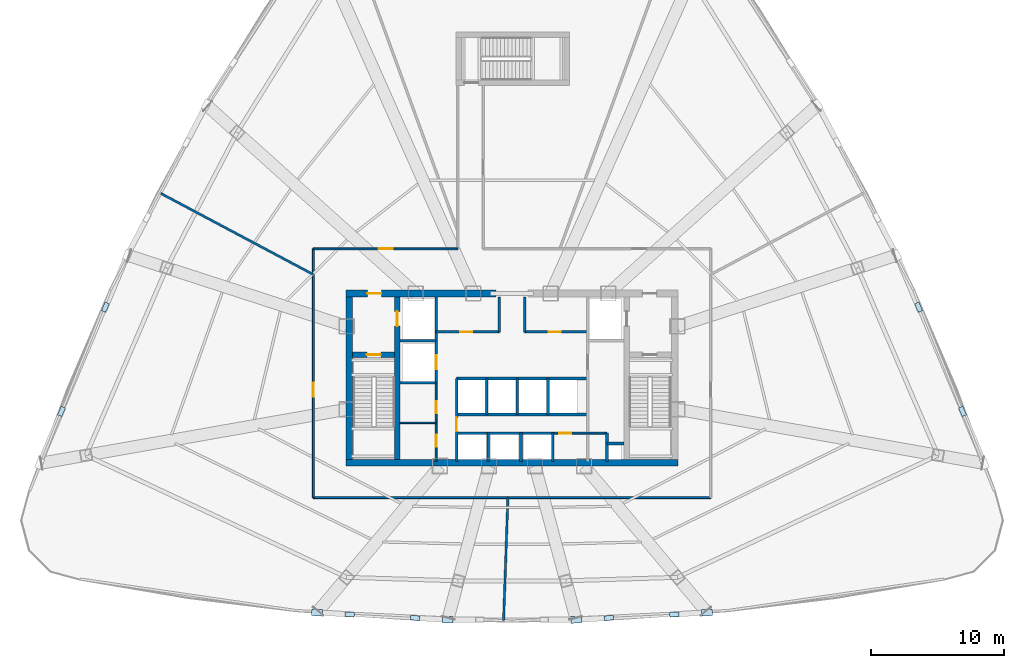
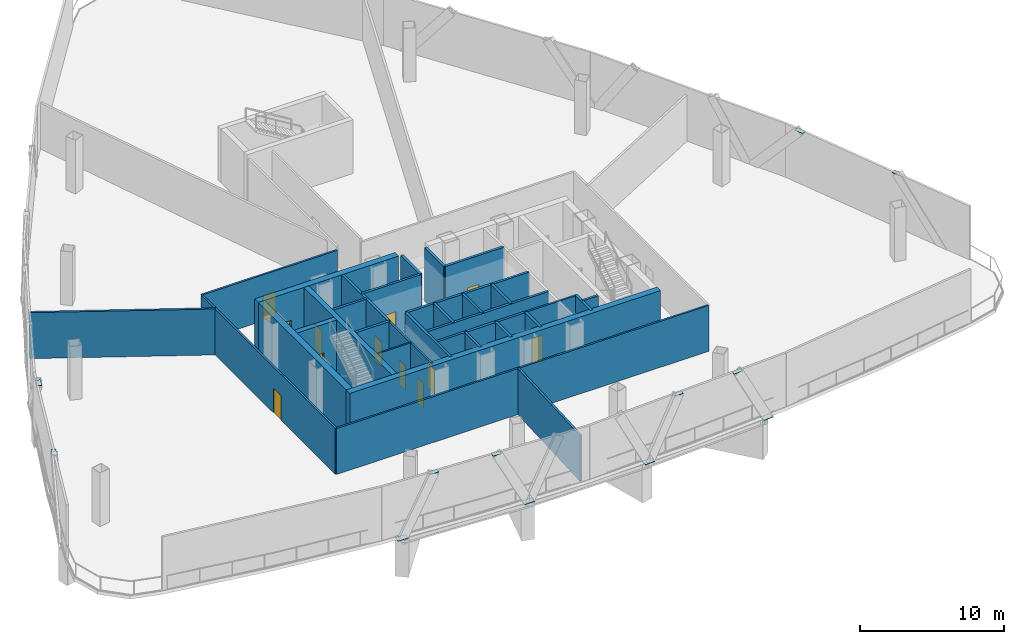
# One storey, part 7 of 14: 32 walls, 12 doors, 12 plates, 12 openings.
"""IFC4 building model written with IfcOpenShell, lengths in metres."""

import ifcopenshell
import ifcopenshell.guid

model = None  # the IFC model being written
_history = None  # IfcOwnerHistory: only IFC2X3 demands one
_inside = {}  # id of a spatial element -> (the spatial element, [elements in it])
_under = {}  # id of a project, library or spatial element -> (it, [spatial elements below it])
_declared = {}  # id of a project -> (the project, [libraries it declares])
_typed = {}  # id of a type object -> (the type object, [elements of that type])
_made_of = {}  # id of a material, layer set ... -> (it, [elements and type objects made of it])


def new_model(schema):
    """Start an empty IFC model of exactly this schema.

    Asked for "IFC4X3", IfcOpenShell would pick the latest addendum, in which some entities
    have other attributes; the version numbers below select the first issue.
    IFC2X3 requires an IfcOwnerHistory on every rooted entity: one is made here for all.
    """
    global model, _history
    if schema == "IFC4X3":
        model = ifcopenshell.file(schema_version=(4, 3, 0, 0))
    else:
        model = ifcopenshell.file(schema=schema)
    _inside.clear()
    _under.clear()
    _declared.clear()
    _typed.clear()
    _made_of.clear()
    _history = None
    if model.schema == "IFC2X3":
        org = make("IfcOrganization", Name="unknown")
        user = make(
            "IfcPersonAndOrganization",
            ThePerson=make("IfcPerson", FamilyName="unknown"),
            TheOrganization=org,
        )
        app = make(
            "IfcApplication",
            ApplicationDeveloper=org,
            Version="unknown",
            ApplicationFullName="unknown",
            ApplicationIdentifier="unknown",
        )
        _history = make(
            "IfcOwnerHistory",
            OwningUser=user,
            OwningApplication=app,
            ChangeAction="ADDED",
            CreationDate=0,
        )
    return model


def make(cls, **values):
    """One entity of the class cls with the attributes given. An attribute that is None is left unset."""
    return model.create_entity(
        cls, **{name: value for name, value in values.items() if value is not None}
    )


def rooted(cls, **values):
    """An entity with a GlobalId (a new one), such as an element, a storey or a relation."""
    return make(cls, GlobalId=ifcopenshell.guid.new(), OwnerHistory=_history, **values)


def si_unit(unit_type, name, prefix=None):
    """IfcSIUnit, for example si_unit("LENGTHUNIT", "METRE", prefix="MILLI")."""
    return make("IfcSIUnit", UnitType=unit_type, Prefix=prefix, Name=name)


def assignment(units):
    """IfcUnitAssignment: the units of a project."""
    return None if units is None else make("IfcUnitAssignment", Units=units)


def point(xyz):
    """IfcCartesianPoint."""
    return None if xyz is None else make("IfcCartesianPoint", Coordinates=xyz)


def direction(xyz):
    """IfcDirection."""
    return None if xyz is None else make("IfcDirection", DirectionRatios=xyz)


def frame(location, z_axis=None, x_axis=None):
    """IfcAxis2Placement3D, a coordinate frame: its origin and axes. An axis left out is left unset."""
    return make(
        "IfcAxis2Placement3D",
        Location=point(location),
        Axis=direction(z_axis),
        RefDirection=direction(x_axis),
    )


def frame_2d(location, x_axis=None):
    """IfcAxis2Placement2D, a coordinate frame in the plane: its origin and x axis."""
    return make(
        "IfcAxis2Placement2D", Location=point(location), RefDirection=direction(x_axis)
    )


def origin():
    """The frame at (0, 0, 0) with its axes left unset."""
    return frame((0.0, 0.0, 0.0))


def origin_with_axes():
    """The frame at (0, 0, 0) with the z axis (0, 0, 1) and the x axis (1, 0, 0) written out."""
    return frame((0.0, 0.0, 0.0), z_axis=(0.0, 0.0, 1.0), x_axis=(1.0, 0.0, 0.0))


def origin_2d():
    """The frame at (0, 0) in the plane with its x axis left unset."""
    return frame_2d((0.0, 0.0))


def place(relative_to, where):
    """IfcLocalPlacement: puts the frame where relative to a parent placement (None: the world)."""
    return make(
        "IfcLocalPlacement", PlacementRelTo=relative_to, RelativePlacement=where
    )


def context(
    kind, dimensions, precision=None, world=None, true_north=None, identifier=None
):
    """IfcGeometricRepresentationContext, for example the 3D "Model" context."""
    return make(
        "IfcGeometricRepresentationContext",
        ContextIdentifier=identifier,
        ContextType=kind,
        CoordinateSpaceDimension=dimensions,
        Precision=precision,
        WorldCoordinateSystem=world,
        TrueNorth=true_north,
    )


def subcontext(parent, identifier, kind, view, scale=None):
    """IfcGeometricRepresentationSubContext, for example "Body" below "Model"."""
    return make(
        "IfcGeometricRepresentationSubContext",
        ContextIdentifier=identifier,
        ContextType=kind,
        ParentContext=parent,
        TargetScale=scale,
        TargetView=view,
    )


def project(units=None, contexts=None):
    """IfcProject with its units and contexts."""
    return rooted(
        "IfcProject",
        Name="project",
        RepresentationContexts=contexts,
        UnitsInContext=assignment(units),
    )


def spatial(cls, under=None, at=None, **own):
    """A site, building, storey or space (cls), placed at a placement, below another one or the project."""
    s = rooted(cls, ObjectPlacement=at, **own)
    if under is not None:
        _under.setdefault(under.id(), (under, []))[1].append(s)
    return s


def profile(cls, at=None, kind="AREA", **sizes):
    """A parametric profile (cls). Its sizes go by their IFC names, for example OverallWidth=200.0."""
    return make(cls, ProfileType=kind, Position=at, **sizes)


def rectangle(**sizes):
    """IfcRectangleProfileDef."""
    return profile("IfcRectangleProfileDef", **sizes)


def extrude(swept, where, along, depth):
    """IfcExtrudedAreaSolid: the profile swept, set in the frame where, extruded along a direction by depth."""
    return make(
        "IfcExtrudedAreaSolid",
        SweptArea=swept,
        Position=where,
        ExtrudedDirection=direction(along),
        Depth=depth,
    )


def shape(context_of_items, identifier, shape_type, items):
    """IfcShapeRepresentation: the items that make up one representation, for example the "Body"."""
    return make(
        "IfcShapeRepresentation",
        ContextOfItems=context_of_items,
        RepresentationIdentifier=identifier,
        RepresentationType=shape_type,
        Items=items,
    )


def source(mapping_origin, context_of_items, identifier, shape_type, items):
    """IfcRepresentationMap: a shape defined once, which mapped items show again and again."""
    return make(
        "IfcRepresentationMap",
        MappingOrigin=mapping_origin,
        MappedRepresentation=shape(context_of_items, identifier, shape_type, items),
    )


def transform(
    local_origin,
    x_axis=None,
    y_axis=None,
    z_axis=None,
    scale=None,
    scale2=None,
    scale3=None,
    uniform=True,
):
    """IfcCartesianTransformationOperator3D, or its non-uniform kind. x_axis, y_axis, z_axis: its Axis1, 2, 3."""
    if uniform:
        return make(
            "IfcCartesianTransformationOperator3D",
            Axis1=direction(x_axis),
            Axis2=direction(y_axis),
            LocalOrigin=point(local_origin),
            Scale=scale,
            Axis3=direction(z_axis),
        )
    return make(
        "IfcCartesianTransformationOperator3DnonUniform",
        Axis1=direction(x_axis),
        Axis2=direction(y_axis),
        LocalOrigin=point(local_origin),
        Scale=scale,
        Axis3=direction(z_axis),
        Scale2=scale2,
        Scale3=scale3,
    )


def mapped(mapping_source, mapping_target):
    """IfcMappedItem: shows the shape of a source again, moved by a transform."""
    return make(
        "IfcMappedItem", MappingSource=mapping_source, MappingTarget=mapping_target
    )


def material(Name=None, Category=None):
    """IfcMaterial."""
    return make("IfcMaterial", Name=Name, Category=Category)


def layer(
    of_material, thickness, ventilated=None, Name=None, Category=None, Priority=None
):
    """IfcMaterialLayer: one layer of a wall or slab, of a material (None: an air gap)."""
    return make(
        "IfcMaterialLayer",
        Material=of_material,
        LayerThickness=thickness,
        IsVentilated=ventilated,
        Name=Name,
        Category=Category,
        Priority=Priority,
    )


def layer_set(layers, Name=None):
    """IfcMaterialLayerSet."""
    return make("IfcMaterialLayerSet", MaterialLayers=layers, LayerSetName=Name)


def made_of(thing, what):
    """Note that an element or type object is made of a material, layer set ...; save() writes the relation."""
    if what is not None:
        _made_of.setdefault(what.id(), (what, []))[1].append(thing)
    return thing


def type_object(cls, material=None, **own):
    """A type object (cls), such as IfcWallType, which elements share."""
    return made_of(rooted(cls, **own), material)


def element(
    cls,
    number,
    at=None,
    inside=None,
    cuts=None,
    type_object=None,
    material=None,
    context=None,
    identifier="Body",
    shape_type=None,
    held_by="IfcProductDefinitionShape",
    body=None,
    shapes=None,
    **own,
):
    """One element of the class cls, such as IfcWall. Its Tag is "e" and its number.

    at: its placement. inside: the storey or other place that contains it. cuts: it is an
    opening in that element (IfcRelVoidsElement). A single representation is given by context,
    identifier, shape_type and body (its items); several are given by shapes. held_by: the class
    of the entity that holds the representations. save() writes the other relations.
    """
    e = rooted(cls, Tag="e%d" % number, ObjectPlacement=at, **own)
    if body is not None:
        shapes = [shape(context, identifier, shape_type, body)]
    if shapes is not None:
        e.Representation = make(held_by, Representations=shapes)
    if inside is not None:
        _inside.setdefault(inside.id(), (inside, []))[1].append(e)
    if cuts is not None:
        rooted(
            "IfcRelVoidsElement", RelatingBuildingElement=cuts, RelatedOpeningElement=e
        )
    if type_object is not None:
        _typed.setdefault(type_object.id(), (type_object, []))[1].append(e)
    return made_of(e, material)


def fill(opening, filler):
    """IfcRelFillsElement: the door or window that sits in an opening."""
    return rooted(
        "IfcRelFillsElement",
        RelatingOpeningElement=opening,
        RelatedBuildingElement=filler,
    )


def aggregate(whole, parts):
    """IfcRelAggregates: a whole, such as a stair, and the parts it consists of."""
    return rooted("IfcRelAggregates", RelatingObject=whole, RelatedObjects=parts)


def save(model, path):
    """Write the relations noted so far, then the file.

    IfcRelAggregates (storeys below a building ...), IfcRelContainedInSpatialStructure (elements
    in a storey), IfcRelDefinesByType, IfcRelAssociatesMaterial and IfcRelDeclares: one each for
    every whole, place, type object, material and project.
    """
    for whole, parts in _under.values():
        aggregate(whole, parts)
    for where, things in _inside.values():
        rooted(
            "IfcRelContainedInSpatialStructure",
            RelatedElements=things,
            RelatingStructure=where,
        )
    for kind, things in _typed.values():
        rooted("IfcRelDefinesByType", RelatedObjects=things, RelatingType=kind)
    for what, things in _made_of.values():
        rooted("IfcRelAssociatesMaterial", RelatedObjects=things, RelatingMaterial=what)
    for by, libraries in _declared.values():
        rooted("IfcRelDeclares", RelatingContext=by, RelatedDefinitions=libraries)
    model.write(path)


model = new_model("IFC4")

# Units and contexts
model_context = context("Model", 3, precision=1e-05, world=origin(), true_north=direction((0.0, 1.0)))
body_context = subcontext(model_context, "Body", "Model", "MODEL_VIEW")
ifc_project = project(units=[si_unit("LENGTHUNIT", "METRE"), si_unit("AREAUNIT", "SQUARE_METRE"), si_unit("VOLUMEUNIT", "CUBIC_METRE"), si_unit("PLANEANGLEUNIT", "RADIAN"), si_unit("MASSUNIT", "GRAM", prefix="KILO"), si_unit("THERMODYNAMICTEMPERATUREUNIT", "KELVIN"), si_unit("POWERUNIT", "WATT")], contexts=[model_context])

# Site, building, storey
site_placement = place(None, origin())
site = spatial("IfcSite", under=ifc_project, at=site_placement, CompositionType="ELEMENT")
building_placement = place(site_placement, origin())
building = spatial("IfcBuilding", under=site, at=building_placement, Name="Yunzhuo Pagoda Commons", CompositionType="ELEMENT")
storey_placement = place(building_placement, frame((0.0, 0.0, 224.81005859375)))
storey = spatial("IfcBuildingStorey", under=building, at=storey_placement, Name="L56", CompositionType="ELEMENT", Elevation=224.81005859375)

# Plates
ifc_material_1 = material(Name="Structural steel Q355B", Category="steel")
ifc_layer_1 = layer(ifc_material_1, 0.028076171875)
ifc_layer_set_1 = layer_set([ifc_layer_1], Name="Structural steel Q355B")
plate_type = type_object("IfcPlateType", Name="SP-ND1 Lattice Node Cap Plate 800x500x28", PredefinedType="USERDEFINED", material=ifc_layer_set_1)
shared_shape_1 = source(origin(), body_context, "Body", "SweptSolid", [
    extrude(rectangle(XDim=0.800048828125, YDim=0.5, at=origin_2d()), origin(), (0.0, 0.0, 1.0), 0.028076171875),
])
for number, where, z_axis, x_axis, name in (
    (1, (33.377197265625, 16.2734375, -0.2939453125), (0.0, 0.0, 1.0), (0.998487178719, -0.054985033724, 0.0), "L56 diamond node plate F1.1A"),
    (2, (43.185791015625, 15.7333984375, -0.2939453125), (0.0, 0.0, 1.0), (1.0, 0.0, 0.0), "L56 diamond node plate F1.2A"),
    (3, (52.814208984375, 15.7333984375, -0.2939453125), (0.0, 0.0, 1.0), (0.998487178719, 0.054985033724, 0.0), "L56 diamond node plate F1.3A"),
    (4, (62.622802734375, 16.2734375, -0.2939453125), (0.0, 0.0, 1.0), (0.998487178719, 0.054985033724, 0.0), "L56 diamond node plate F1.3B"),
):
    element("IfcPlate", number, at=place(storey_placement, frame(where, z_axis=z_axis, x_axis=x_axis)), inside=storey, type_object=plate_type, Name=name, ObjectType="STIFFENER_PLATE", PredefinedType="USERDEFINED", context=body_context, shape_type="MappedRepresentation", body=[
        mapped(shared_shape_1, transform((0.0, 0.0, 0.0), scale=1.0)),
    ])
shared_shape_2 = source(origin(), body_context, "Body", "SweptSolid", [
    extrude(rectangle(XDim=0.699951171875, YDim=0.35009765625, at=origin_2d()), origin(), (0.0, 0.0, 1.0), 0.035888671875),
])
for number, where, z_axis, x_axis, name in (
    (5, (35.829345703125, 16.138427734375, 4.501953125), (0.0, 0.0, 1.0), (0.998487178719, -0.054985033724, 0.0), "L56 setback lattice tie plate F1.1L"),
    (6, (40.733642578125, 15.868408203125, 4.501953125), (0.0, 0.0, 1.0), (0.998487178719, -0.054985033724, 0.0), "L56 setback lattice tie plate F1.1R"),
    (7, (55.266357421875, 15.868408203125, 4.501953125), (0.0, 0.0, 1.0), (0.998487178719, 0.054985033724, 0.0), "L56 setback lattice tie plate F1.3L"),
    (8, (60.170654296875, 16.138427734375, 4.501953125), (0.0, 0.0, 1.0), (0.998487178719, 0.054985033724, 0.0), "L56 setback lattice tie plate F1.3R"),
    (9, (81.778076171875, 31.358642578125, 4.501953125), (0.0, 0.0, 1.0), (-0.388175158617, 0.921585615248, 0.0), "L56 setback lattice tie plate F2.1L"),
    (10, (78.48876953125, 39.16748046875, 4.501953125), (0.0, 0.0, 1.0), (-0.388175158617, 0.921585615248, 0.0), "L56 setback lattice tie plate F2.1R"),
    (11, (17.51123046875, 39.16748046875, 4.501953125), (0.0, 0.0, 1.0), (-0.388175158617, -0.921585615248, 0.0), "L56 setback lattice tie plate F3.3L"),
    (12, (14.221923828125, 31.358642578125, 4.501953125), (0.0, 0.0, 1.0), (-0.388175158617, -0.921585615248, 0.0), "L56 setback lattice tie plate F3.3R"),
):
    element("IfcPlate", number, at=place(storey_placement, frame(where, z_axis=z_axis, x_axis=x_axis)), inside=storey, type_object=plate_type, Name=name, ObjectType="STIFFENER_PLATE", PredefinedType="USERDEFINED", context=body_context, shape_type="MappedRepresentation", body=[
        mapped(shared_shape_2, transform((0.0, 0.0, 0.0), scale=1.0)),
    ])

# Wall
ifc_material_2 = material(Name="Concrete C50", Category="concrete")
ifc_layer_2 = layer(ifc_material_2, 0.5)
ifc_layer_set_2 = layer_set([ifc_layer_2], Name="Concrete C50")
wall_type_1 = type_object("IfcWallType", Name="W-C03 Upper Core Shear Wall 500", PredefinedType="SHEAR", material=ifc_layer_set_2)
wall_1_placement = place(storey_placement, frame((35.550048828125, 27.5, 0.0), z_axis=(0.0, 0.0, 1.0), x_axis=(1.0, 0.0, 0.0)))
element("IfcWall", 13, at=wall_1_placement, inside=storey, type_object=wall_type_1, Name="L56 core shear wall S", PredefinedType="SHEAR", context=body_context, shape_type="SweptSolid", body=[
    extrude(rectangle(XDim=24.89990234375, YDim=0.5, at=frame_2d((12.449951171875, 0.0))), origin(), (0.0, 0.0, 1.0), 4.5400390625),
])

# Wall, opening, door
wall_2_placement = place(storey_placement, frame((35.550048828125, 40.199951171875, 0.0), z_axis=(0.0, 0.0, 1.0), x_axis=(1.0, 0.0, 0.0)))
wall_2 = element("IfcWall", 14, at=wall_2_placement, inside=storey, type_object=wall_type_1, Name="L56 core shear wall NW", PredefinedType="SHEAR", context=body_context, shape_type="SweptSolid", body=[
    extrude(rectangle(XDim=11.25, YDim=0.5, at=frame_2d((5.625, 0.0))), origin(), (0.0, 0.0, 1.0), 4.5400390625),
])
opening_1_placement = place(wall_2_placement, frame((1.60009765625, 0.0, 0.0)))
opening_1 = element("IfcOpeningElement", 15, at=opening_1_placement, cuts=wall_2, Name="Opening D-02", PredefinedType="OPENING", context=body_context, shape_type="SweptSolid", body=[
    extrude(rectangle(XDim=1.050048828125, YDim=2.10009765625, at=frame_2d((0.52490234375, 1.050048828125))), frame((0.0, 0.260009765625, 0.0), z_axis=(0.0, -1.0, 0.0), x_axis=(1.0, 0.0, 0.0)), (0.0, 0.0, 1.0), 0.52001953125),
])
ifc_material_3 = material(Name="Galvanized fire-resisting metal leaf")
door_type_1 = type_object("IfcDoorType", Name="D-02 Firefighting Lobby & Refuge Fire Door 1050x2100", OperationType="NOTDEFINED", PredefinedType="DOOR", material=ifc_material_3)
shared_shape_3 = source(origin(), body_context, "Body", "SweptSolid", [
    extrude(rectangle(XDim=1.050048828125, YDim=2.10009765625, at=frame_2d((0.52490234375, 1.050048828125))), frame((0.0, 0.02490234375, 0.0), z_axis=(0.0, -1.0, 0.0), x_axis=(1.0, 0.0, 0.0)), (0.0, 0.0, 1.0), 0.050048828125),
])
door_1_placement = place(opening_1_placement, frame((1.050048828125, 0.0, 0.0), z_axis=(0.0, 0.0, 1.0), x_axis=(-1.0, 0.0, 0.0)))
door_1 = element("IfcDoor", 16, at=door_1_placement, inside=storey, type_object=door_type_1, Name="L56 Firefighting Lobby 1 fire door", OperationType="SINGLE_SWING_LEFT", OverallHeight=2.10009765625, OverallWidth=1.050048828125, PredefinedType="DOOR", context=body_context, shape_type="MappedRepresentation", body=[
    mapped(shared_shape_3, transform((0.0, 0.0, 0.0), scale=1.0)),
])
fill(opening_1, door_1)

# Wall
wall_3_placement = place(storey_placement, frame((35.800048828125, 27.75, 0.0), z_axis=(0.0, 0.0, 1.0), x_axis=(0.0, 1.0, 0.0)))
element("IfcWall", 17, at=wall_3_placement, inside=storey, type_object=wall_type_1, Name="L56 core shear wall W", PredefinedType="SHEAR", context=body_context, shape_type="SweptSolid", body=[
    extrude(rectangle(XDim=12.199951171875, YDim=0.5, at=frame_2d((6.10009765625, 0.0))), origin(), (0.0, 0.0, 1.0), 4.5400390625),
])

# Wall, openings, doors
ifc_material_4 = material(Name="Gypsum plasterboard on acoustic stud")
ifc_layer_3 = layer(ifc_material_4, 0.14990234375)
ifc_layer_set_3 = layer_set([ifc_layer_3], Name="Gypsum plasterboard on acoustic stud")
wall_type_2 = type_object("IfcWallType", Name="W-COR3 High-Zone Rated Corridor Wall 150", PredefinedType="PARTITIONING", material=ifc_layer_set_3)
wall_4_placement = place(storey_placement, frame((42.320068359375, 27.60009765625, 0.0), z_axis=(0.0, 0.0, 1.0), x_axis=(0.0, 1.0, 0.0)))
wall_4 = element("IfcWall", 18, at=wall_4_placement, inside=storey, type_object=wall_type_2, Name="L56 interior wall IW-L56-CSWE", PredefinedType="PARTITIONING", context=body_context, shape_type="SweptSolid", body=[
    extrude(rectangle(XDim=5.89990234375, YDim=0.14990234375, at=frame_2d((2.949951171875, 0.0))), origin(), (0.0, 0.0, 1.0), 4.5400390625),
])
opening_2_placement = place(wall_4_placement, frame((1.10009765625, 0.0, 0.0)))
opening_2 = element("IfcOpeningElement", 19, at=opening_2_placement, cuts=wall_4, Name="Opening D-03", PredefinedType="OPENING", context=body_context, shape_type="SweptSolid", body=[
    extrude(rectangle(XDim=0.89990234375, YDim=2.10009765625, at=frame_2d((0.449951171875, 1.050048828125))), frame((0.0, 0.0849609375, 0.0), z_axis=(0.0, -1.0, 0.0), x_axis=(1.0, 0.0, 0.0)), (0.0, 0.0, 1.0), 0.169921875),
])
opening_3_placement = place(wall_4_placement, frame((3.60009765625, 0.0, 0.0)))
opening_3 = element("IfcOpeningElement", 20, at=opening_3_placement, cuts=wall_4, Name="Opening D-03", PredefinedType="OPENING", context=body_context, shape_type="SweptSolid", body=[
    extrude(rectangle(XDim=0.89990234375, YDim=2.10009765625, at=frame_2d((0.449951171875, 1.050048828125))), frame((0.0, 0.0849609375, 0.0), z_axis=(0.0, -1.0, 0.0), x_axis=(1.0, 0.0, 0.0)), (0.0, 0.0, 1.0), 0.169921875),
])
door_type_2 = type_object("IfcDoorType", Name="D-03 Core Service Fire Door 900x2100", OperationType="NOTDEFINED", PredefinedType="DOOR", material=ifc_material_3)
shared_shape_4 = source(origin(), body_context, "Body", "SweptSolid", [
    extrude(rectangle(XDim=0.89990234375, YDim=2.10009765625, at=frame_2d((0.449951171875, 1.050048828125))), frame((0.0, 0.02490234375, 0.0), z_axis=(0.0, -1.0, 0.0), x_axis=(1.0, 0.0, 0.0)), (0.0, 0.0, 1.0), 0.050048828125),
])
door_2_placement = place(opening_2_placement, origin_with_axes())
door_2 = element("IfcDoor", 21, at=door_2_placement, inside=storey, type_object=door_type_2, Name="L56 housekeeping door", OperationType="SINGLE_SWING_RIGHT", OverallHeight=2.10009765625, OverallWidth=0.89990234375, PredefinedType="DOOR", context=body_context, shape_type="MappedRepresentation", body=[
    mapped(shared_shape_4, transform((0.0, 0.0, 0.0), scale=1.0)),
])
fill(opening_2, door_2)
door_3_placement = place(opening_3_placement, origin_with_axes())
door_3 = element("IfcDoor", 22, at=door_3_placement, inside=storey, type_object=door_type_2, Name="L56 core control door", OperationType="SINGLE_SWING_RIGHT", OverallHeight=2.10009765625, OverallWidth=0.89990234375, PredefinedType="DOOR", context=body_context, shape_type="MappedRepresentation", body=[
    mapped(shared_shape_4, transform((0.0, 0.0, 0.0), scale=1.0)),
])
fill(opening_3, door_3)

# Wall, opening, door
wall_5_placement = place(storey_placement, frame((51.050048828125, 29.719970703125, 0.0), z_axis=(0.0, 0.0, 1.0), x_axis=(1.0, 0.0, 0.0)))
wall_5 = element("IfcWall", 23, at=wall_5_placement, inside=storey, type_object=wall_type_2, Name="L56 interior wall IW-L56-CSES", PredefinedType="PARTITIONING", context=body_context, shape_type="SweptSolid", body=[
    extrude(rectangle(XDim=4.070068359375, YDim=0.14990234375, at=frame_2d((2.03515625, 0.0))), origin(), (0.0, 0.0, 1.0), 4.5400390625),
])
opening_4_placement = place(wall_5_placement, frame((0.5, 0.0, 0.0)))
opening_4 = element("IfcOpeningElement", 24, at=opening_4_placement, cuts=wall_5, Name="Opening D-03", PredefinedType="OPENING", context=body_context, shape_type="SweptSolid", body=[
    extrude(rectangle(XDim=0.89990234375, YDim=2.10009765625, at=frame_2d((0.449951171875, 1.050048828125))), frame((0.0, 0.0849609375, 0.0), z_axis=(0.0, -1.0, 0.0), x_axis=(1.0, 0.0, 0.0)), (0.0, 0.0, 1.0), 0.169921875),
])
door_4_placement = place(opening_4_placement, origin_with_axes())
door_4 = element("IfcDoor", 25, at=door_4_placement, inside=storey, type_object=door_type_2, Name="L56 IT closet door", OperationType="SINGLE_SWING_LEFT", OverallHeight=2.10009765625, OverallWidth=0.89990234375, PredefinedType="DOOR", context=body_context, shape_type="MappedRepresentation", body=[
    mapped(shared_shape_4, transform((0.0, 0.0, 0.0), scale=1.0)),
])
fill(opening_4, door_4)

# Wall
wall_6_placement = place(storey_placement, frame((62.89990234375, 24.89990234375, 0.0), z_axis=(0.0, 0.0, 1.0), x_axis=(-1.0, 0.0, 0.0)))
element("IfcWall", 26, at=wall_6_placement, inside=storey, type_object=wall_type_2, Name="L56 interior wall IW-L56-SCW04", PredefinedType="PARTITIONING", context=body_context, shape_type="SweptSolid", body=[
    extrude(rectangle(XDim=29.7998046875, YDim=0.14990234375, at=frame_2d((14.89990234375, 0.0))), origin(), (0.0, 0.0, 1.0), 3.889892578125),
])

# Wall, opening, door
wall_7_placement = place(storey_placement, frame((33.10009765625, 24.89990234375, 0.0), z_axis=(0.0, 0.0, 1.0), x_axis=(0.0, 1.0, 0.0)))
wall_7 = element("IfcWall", 27, at=wall_7_placement, inside=storey, type_object=wall_type_2, Name="L56 interior wall IW-L56-SCW05", PredefinedType="PARTITIONING", context=body_context, shape_type="SweptSolid", body=[
    extrude(rectangle(XDim=18.650146484375, YDim=0.14990234375, at=frame_2d((9.3251953125, 0.0))), origin(), (0.0, 0.0, 1.0), 3.889892578125),
])
opening_5_placement = place(wall_7_placement, frame((7.536376953125, 0.0, 0.0)))
opening_5 = element("IfcOpeningElement", 28, at=opening_5_placement, cuts=wall_7, Name="Opening D-02", PredefinedType="OPENING", context=body_context, shape_type="SweptSolid", body=[
    extrude(rectangle(XDim=1.050048828125, YDim=2.10009765625, at=frame_2d((0.52490234375, 1.050048828125))), frame((0.0, 0.0849609375, 0.0), z_axis=(0.0, -1.0, 0.0), x_axis=(1.0, 0.0, 0.0)), (0.0, 0.0, 1.0), 0.169921875),
])
door_5_placement = place(opening_5_placement, origin_with_axes())
door_5 = element("IfcDoor", 29, at=door_5_placement, inside=storey, type_object=door_type_1, Name="L56 Electrical Switch Plant Room door", OperationType="SINGLE_SWING_RIGHT", OverallHeight=2.10009765625, OverallWidth=1.050048828125, PredefinedType="DOOR", context=body_context, shape_type="MappedRepresentation", body=[
    mapped(shared_shape_3, transform((0.0, 0.0, 0.0), scale=1.0)),
])
fill(opening_5, door_5)

wall_8_placement = place(storey_placement, frame((33.10009765625, 43.550048828125, 0.0), z_axis=(0.0, 0.0, 1.0), x_axis=(1.0, 0.0, 0.0)))
wall_8 = element("IfcWall", 30, at=wall_8_placement, inside=storey, type_object=wall_type_2, Name="L56 interior wall IW-L56-SCW06", PredefinedType="PARTITIONING", context=body_context, shape_type="SweptSolid", body=[
    extrude(rectangle(XDim=10.849853515625, YDim=0.14990234375, at=frame_2d((5.4248046875, 0.0))), origin(), (0.0, 0.0, 1.0), 3.889892578125),
])
opening_6_placement = place(wall_8_placement, frame((4.89990234375, 0.0, 0.0)))
opening_6 = element("IfcOpeningElement", 31, at=opening_6_placement, cuts=wall_8, Name="Opening D-02", PredefinedType="OPENING", context=body_context, shape_type="SweptSolid", body=[
    extrude(rectangle(XDim=1.050048828125, YDim=2.10009765625, at=frame_2d((0.52490234375, 1.050048828125))), frame((0.0, 0.0849609375, 0.0), z_axis=(0.0, -1.0, 0.0), x_axis=(1.0, 0.0, 0.0)), (0.0, 0.0, 1.0), 0.169921875),
])
door_6_placement = place(opening_6_placement, origin_with_axes())
door_6 = element("IfcDoor", 32, at=door_6_placement, inside=storey, type_object=door_type_1, Name="L56 Hydronic and Fire Pump Plant Room door", OperationType="SINGLE_SWING_LEFT", OverallHeight=2.10009765625, OverallWidth=1.050048828125, PredefinedType="DOOR", context=body_context, shape_type="MappedRepresentation", body=[
    mapped(shared_shape_3, transform((0.0, 0.0, 0.0), scale=1.0)),
])
fill(opening_6, door_6)

# Walls
ifc_layer_4 = layer(ifc_material_4, 0.1201171875)
ifc_layer_set_4 = layer_set([ifc_layer_4], Name="Gypsum plasterboard on acoustic stud")
wall_type_3 = type_object("IfcWallType", Name="W-PRT1 Suite & Bathroom Partition 120", PredefinedType="PARTITIONING", material=ifc_layer_set_4)
wall_9_placement = place(storey_placement, frame((39.60009765625, 30.5, 0.0), z_axis=(0.0, 0.0, 1.0), x_axis=(1.0, 0.0, 0.0)))
element("IfcWall", 33, at=wall_9_placement, inside=storey, type_object=wall_type_3, Name="L56 interior wall IW-L56-CB1", PredefinedType="PARTITIONING", context=body_context, shape_type="SweptSolid", body=[
    extrude(rectangle(XDim=2.719970703125, YDim=0.1201171875, at=frame_2d((1.35986328125, 0.0))), origin(), (0.0, 0.0, 1.0), 4.5400390625),
])
ifc_layer_5 = layer(ifc_material_4, 0.169921875)
ifc_layer_set_5 = layer_set([ifc_layer_5], Name="Gypsum plasterboard on acoustic stud")
wall_type_4 = type_object("IfcWallType", Name="W-PRT4 High-Zone Demising Wall 170", PredefinedType="PARTITIONING", material=ifc_layer_set_5)
wall_10_placement = place(storey_placement, frame((33.10009765625, 41.62255859375, 0.0), z_axis=(0.0, 0.0, 1.0), x_axis=(-0.88294771871, 0.469471326093, 0.0)))
element("IfcWall", 34, at=wall_10_placement, inside=storey, type_object=wall_type_4, Name="L56 interior wall IW-L56-SRAD4", PredefinedType="PARTITIONING", context=body_context, shape_type="SweptSolid", body=[
    extrude(rectangle(XDim=12.949462890625, YDim=0.169921875, at=frame_2d((6.474609375, 0.0))), origin(), (0.0, 0.0, 1.0), 3.889892578125),
])
wall_11_placement = place(storey_placement, frame((47.692626953125, 24.89990234375, 0.0), z_axis=(0.0, 0.0, 1.0), x_axis=(-0.034893830419, -0.999391024874, 0.0)))
element("IfcWall", 35, at=wall_11_placement, inside=storey, type_object=wall_type_4, Name="L56 interior wall IW-L56-SRAD5", PredefinedType="PARTITIONING", context=body_context, shape_type="SweptSolid", body=[
    extrude(rectangle(XDim=9.235595703125, YDim=0.169921875, at=frame_2d((4.61767578125, 0.0))), origin(), (0.0, 0.0, 1.0), 3.889892578125),
])

# Wall, opening, door
ifc_material_5 = material(Name="Concrete C60", Category="concrete")
ifc_layer_6 = layer(ifc_material_5, 0.39990234375)
ifc_layer_set_6 = layer_set([ifc_layer_6], Name="Concrete C60")
wall_type_5 = type_object("IfcWallType", Name="W-S01 Internal Core Shear Web 400", PredefinedType="SHEAR", material=ifc_layer_set_6)
wall_12_placement = place(storey_placement, frame((39.39990234375, 27.75, 0.0), z_axis=(0.0, 0.0, 1.0), x_axis=(0.0, 1.0, 0.0)))
wall_12 = element("IfcWall", 36, at=wall_12_placement, inside=storey, type_object=wall_type_5, Name="L56 core shear wall WEBW", PredefinedType="SHEAR", context=body_context, shape_type="SweptSolid", body=[
    extrude(rectangle(XDim=12.199951171875, YDim=0.39990234375, at=frame_2d((6.10009765625, 0.0))), origin(), (0.0, 0.0, 1.0), 4.5400390625),
])
opening_7_placement = place(wall_12_placement, frame((10.0, 0.0, 0.0)))
opening_7 = element("IfcOpeningElement", 37, at=opening_7_placement, cuts=wall_12, Name="Opening LD-01", PredefinedType="OPENING", context=body_context, shape_type="SweptSolid", body=[
    extrude(rectangle(XDim=1.10009765625, YDim=2.10009765625, at=frame_2d((0.550048828125, 1.050048828125))), frame((0.0, 0.2099609375, 0.0), z_axis=(0.0, -1.0, 0.0), x_axis=(1.0, 0.0, 0.0)), (0.0, 0.0, 1.0), 0.419921875),
])
door_type_3 = type_object("IfcDoorType", Name="LD-01 Firefighting Lift Landing Door 1100x2100", OperationType="DOUBLE_DOOR_SLIDING", PredefinedType="DOOR", material=ifc_material_3)
shared_shape_5 = source(origin(), body_context, "Body", "SweptSolid", [
    extrude(rectangle(XDim=1.10009765625, YDim=2.10009765625, at=frame_2d((0.550048828125, 1.050048828125))), frame((0.0, 0.02490234375, 0.0), z_axis=(0.0, -1.0, 0.0), x_axis=(1.0, 0.0, 0.0)), (0.0, 0.0, 1.0), 0.050048828125),
])
door_7_placement = place(opening_7_placement, frame((1.10009765625, 0.0, 0.0), z_axis=(0.0, 0.0, 1.0), x_axis=(-1.0, 0.0, 0.0)))
door_7 = element("IfcDoor", 38, at=door_7_placement, inside=storey, type_object=door_type_3, Name="L56 Firefighting lift FL-1 landing door", OperationType="DOUBLE_DOOR_SLIDING", OverallHeight=2.10009765625, OverallWidth=1.10009765625, PredefinedType="DOOR", context=body_context, shape_type="MappedRepresentation", body=[
    mapped(shared_shape_5, transform((0.0, 0.0, 0.0), scale=1.0)),
])
fill(opening_7, door_7)

wall_13_placement = place(storey_placement, frame((36.050048828125, 35.60009765625, 0.0), z_axis=(0.0, 0.0, 1.0), x_axis=(1.0, 0.0, 0.0)))
wall_13 = element("IfcWall", 39, at=wall_13_placement, inside=storey, type_object=wall_type_5, Name="L56 core shear wall STW", PredefinedType="SHEAR", context=body_context, shape_type="SweptSolid", body=[
    extrude(rectangle(XDim=3.14990234375, YDim=0.39990234375, at=frame_2d((1.574951171875, 0.0))), origin(), (0.0, 0.0, 1.0), 4.5400390625),
])
opening_8_placement = place(wall_13_placement, frame((1.070068359375, 0.0, 0.0)))
opening_8 = element("IfcOpeningElement", 40, at=opening_8_placement, cuts=wall_13, Name="Opening D-01", PredefinedType="OPENING", context=body_context, shape_type="SweptSolid", body=[
    extrude(rectangle(XDim=1.050048828125, YDim=2.10009765625, at=frame_2d((0.52490234375, 1.050048828125))), frame((0.0, 0.2099609375, 0.0), z_axis=(0.0, -1.0, 0.0), x_axis=(1.0, 0.0, 0.0)), (0.0, 0.0, 1.0), 0.419921875),
])
door_type_4 = type_object("IfcDoorType", Name="D-01 Smokeproof Stair Fire Door 1050x2100", OperationType="NOTDEFINED", PredefinedType="DOOR", material=ifc_material_3)
door_8_placement = place(opening_8_placement, frame((1.050048828125, 0.0, 0.0), z_axis=(0.0, 0.0, 1.0), x_axis=(-1.0, 0.0, 0.0)))
door_8 = element("IfcDoor", 41, at=door_8_placement, inside=storey, type_object=door_type_4, Name="L56 Stair ST1 fire door", OperationType="SINGLE_SWING_LEFT", OverallHeight=2.10009765625, OverallWidth=1.050048828125, PredefinedType="DOOR", context=body_context, shape_type="MappedRepresentation", body=[
    mapped(shared_shape_3, transform((0.0, 0.0, 0.0), scale=1.0)),
])
fill(opening_8, door_8)

ifc_material_6 = material(Name="Concrete C40", Category="concrete")
ifc_layer_7 = layer(ifc_material_6, 0.199951171875)
ifc_layer_set_7 = layer_set([ifc_layer_7], Name="Concrete C40")
wall_type_6 = type_object("IfcWallType", Name="W-SHF Shaft & Stair Enclosure Wall 200", PredefinedType="SOLIDWALL", material=ifc_layer_set_7)
wall_14_placement = place(storey_placement, frame((42.320068359375, 33.5, 0.0), z_axis=(0.0, 0.0, 1.0), x_axis=(0.0, 1.0, 0.0)))
wall_14 = element("IfcWall", 42, at=wall_14_placement, inside=storey, type_object=wall_type_6, Name="L56 interior wall IW-L56-FL1E", PredefinedType="SOLIDWALL", context=body_context, shape_type="SweptSolid", body=[
    extrude(rectangle(XDim=6.449951171875, YDim=0.199951171875, at=frame_2d((3.22509765625, 0.0))), origin(), (0.0, 0.0, 1.0), 4.5400390625),
])
opening_9_placement = place(wall_14_placement, frame((1.0, 0.0, 0.0)))
opening_9 = element("IfcOpeningElement", 43, at=opening_9_placement, cuts=wall_14, Name="Opening LD-02", PredefinedType="OPENING", context=body_context, shape_type="SweptSolid", body=[
    extrude(rectangle(XDim=1.050048828125, YDim=2.10009765625, at=frame_2d((0.52490234375, 1.050048828125))), frame((0.0, 0.10986328125, 0.0), z_axis=(0.0, -1.0, 0.0), x_axis=(1.0, 0.0, 0.0)), (0.0, 0.0, 1.0), 0.219970703125),
])
door_type_5 = type_object("IfcDoorType", Name="LD-02 Passenger Lift Landing Door 1050x2100", OperationType="DOUBLE_DOOR_SLIDING", PredefinedType="DOOR", material=ifc_material_3)
door_9_placement = place(opening_9_placement, origin_with_axes())
door_9 = element("IfcDoor", 44, at=door_9_placement, inside=storey, type_object=door_type_5, Name="L56 Service lift SL-1 landing door", OperationType="DOUBLE_DOOR_SLIDING", OverallHeight=2.10009765625, OverallWidth=1.050048828125, PredefinedType="DOOR", context=body_context, shape_type="MappedRepresentation", body=[
    mapped(shared_shape_3, transform((0.0, 0.0, 0.0), scale=1.0)),
])
fill(opening_9, door_9)

# Walls
for number, where, z_axis, x_axis, name in (
    (45, (39.60009765625, 36.64990234375, 0.0), (0.0, 0.0, 1.0), (1.0, 0.0, 0.0), "L56 interior wall IW-L56-FL1S"),
    (46, (39.60009765625, 33.5, 0.0), (0.0, 0.0, 1.0), (1.0, 0.0, 0.0), "L56 interior wall IW-L56-SL1S"),
):
    element("IfcWall", number, at=place(storey_placement, frame(where, z_axis=z_axis, x_axis=x_axis)), inside=storey, type_object=wall_type_6, Name=name, PredefinedType="SOLIDWALL", context=body_context, shape_type="SweptSolid", body=[
        extrude(rectangle(XDim=2.719970703125, YDim=0.199951171875, at=frame_2d((1.35986328125, 0.0))), origin(), (0.0, 0.0, 1.0), 4.5400390625),
    ])

# Wall, opening, door
wall_15_placement = place(storey_placement, frame((42.320068359375, 37.320068359375, 0.0), z_axis=(0.0, 0.0, 1.0), x_axis=(1.0, 0.0, 0.0)))
wall_15 = element("IfcWall", 47, at=wall_15_placement, inside=storey, type_object=wall_type_6, Name="L56 interior wall IW-L56-LBNW", PredefinedType="SOLIDWALL", context=body_context, shape_type="SweptSolid", body=[
    extrude(rectangle(XDim=4.72998046875, YDim=0.199951171875, at=frame_2d((2.364990234375, 0.0))), origin(), (0.0, 0.0, 1.0), 4.5400390625),
])
opening_10_placement = place(wall_15_placement, frame((1.800048828125, 0.0, 0.0)))
opening_10 = element("IfcOpeningElement", 48, at=opening_10_placement, cuts=wall_15, Name="Opening D-03", PredefinedType="OPENING", context=body_context, shape_type="SweptSolid", body=[
    extrude(rectangle(XDim=0.89990234375, YDim=2.10009765625, at=frame_2d((0.449951171875, 1.050048828125))), frame((0.0, 0.10986328125, 0.0), z_axis=(0.0, -1.0, 0.0), x_axis=(1.0, 0.0, 0.0)), (0.0, 0.0, 1.0), 0.219970703125),
])
door_10_placement = place(opening_10_placement, frame((0.89990234375, 0.0, 0.0), z_axis=(0.0, 0.0, 1.0), x_axis=(-1.0, 0.0, 0.0)))
door_10 = element("IfcDoor", 49, at=door_10_placement, inside=storey, type_object=door_type_2, Name="L56 core west store door", OperationType="SINGLE_SWING_LEFT", OverallHeight=2.10009765625, OverallWidth=0.89990234375, PredefinedType="DOOR", context=body_context, shape_type="MappedRepresentation", body=[
    mapped(shared_shape_4, transform((0.0, 0.0, 0.0), scale=1.0)),
])
fill(opening_10, door_10)

wall_16_placement = place(storey_placement, frame((48.949951171875, 37.320068359375, 0.0), z_axis=(0.0, 0.0, 1.0), x_axis=(1.0, 0.0, 0.0)))
wall_16 = element("IfcWall", 50, at=wall_16_placement, inside=storey, type_object=wall_type_6, Name="L56 interior wall IW-L56-LBNE", PredefinedType="SOLIDWALL", context=body_context, shape_type="SweptSolid", body=[
    extrude(rectangle(XDim=4.72998046875, YDim=0.199951171875, at=frame_2d((2.364990234375, 0.0))), origin(), (0.0, 0.0, 1.0), 4.5400390625),
])
opening_11_placement = place(wall_16_placement, frame((1.800048828125, 0.0, 0.0)))
opening_11 = element("IfcOpeningElement", 51, at=opening_11_placement, cuts=wall_16, Name="Opening D-03", PredefinedType="OPENING", context=body_context, shape_type="SweptSolid", body=[
    extrude(rectangle(XDim=0.89990234375, YDim=2.10009765625, at=frame_2d((0.449951171875, 1.050048828125))), frame((0.0, 0.10986328125, 0.0), z_axis=(0.0, -1.0, 0.0), x_axis=(1.0, 0.0, 0.0)), (0.0, 0.0, 1.0), 0.219970703125),
])
door_11_placement = place(opening_11_placement, frame((0.89990234375, 0.0, 0.0), z_axis=(0.0, 0.0, 1.0), x_axis=(-1.0, 0.0, 0.0)))
door_11 = element("IfcDoor", 52, at=door_11_placement, inside=storey, type_object=door_type_2, Name="L56 core east store door", OperationType="SINGLE_SWING_RIGHT", OverallHeight=2.10009765625, OverallWidth=0.89990234375, PredefinedType="DOOR", context=body_context, shape_type="MappedRepresentation", body=[
    mapped(shared_shape_4, transform((0.0, 0.0, 0.0), scale=1.0)),
])
fill(opening_11, door_11)

# Walls
for number, where, z_axis, x_axis, name in (
    (53, (47.050048828125, 37.320068359375, 0.0), (0.0, 0.0, 1.0), (0.0, 1.0, 0.0), "L56 interior wall IW-L56-THRW"),
    (54, (48.949951171875, 37.320068359375, 0.0), (0.0, 0.0, 1.0), (0.0, 1.0, 0.0), "L56 interior wall IW-L56-THRE"),
):
    element("IfcWall", number, at=place(storey_placement, frame(where, z_axis=z_axis, x_axis=x_axis)), inside=storey, type_object=wall_type_6, Name=name, PredefinedType="SOLIDWALL", context=body_context, shape_type="SweptSolid", body=[
        extrude(rectangle(XDim=2.6298828125, YDim=0.199951171875, at=frame_2d((1.31494140625, 0.0))), origin(), (0.0, 0.0, 1.0), 4.5400390625),
    ])
wall_17_placement = place(storey_placement, frame((43.85009765625, 33.820068359375, 0.0), z_axis=(0.0, 0.0, 1.0), x_axis=(1.0, 0.0, 0.0)))
element("IfcWall", 55, at=wall_17_placement, inside=storey, type_object=wall_type_6, Name="L56 interior wall IW-L56-MLBS", PredefinedType="SOLIDWALL", context=body_context, shape_type="SweptSolid", body=[
    extrude(rectangle(XDim=9.829833984375, YDim=0.199951171875, at=frame_2d((4.9150390625, 0.0))), origin(), (0.0, 0.0, 1.0), 4.5400390625),
])

# Wall, opening, door
wall_18_placement = place(storey_placement, frame((43.85009765625, 27.60009765625, 0.0), z_axis=(0.0, 0.0, 1.0), x_axis=(0.0, 1.0, 0.0)))
wall_18 = element("IfcWall", 56, at=wall_18_placement, inside=storey, type_object=wall_type_6, Name="L56 interior wall IW-L56-PLMW", PredefinedType="SOLIDWALL", context=body_context, shape_type="SweptSolid", body=[
    extrude(rectangle(XDim=6.219970703125, YDim=0.199951171875, at=frame_2d((3.10986328125, 0.0))), origin(), (0.0, 0.0, 1.0), 4.5400390625),
])
opening_12_placement = place(wall_18_placement, frame((2.25, 0.0, 0.0)))
opening_12 = element("IfcOpeningElement", 57, at=opening_12_placement, cuts=wall_18, Name="Opening D-02", PredefinedType="OPENING", context=body_context, shape_type="SweptSolid", body=[
    extrude(rectangle(XDim=1.050048828125, YDim=2.10009765625, at=frame_2d((0.52490234375, 1.050048828125))), frame((0.0, 0.10986328125, 0.0), z_axis=(0.0, -1.0, 0.0), x_axis=(1.0, 0.0, 0.0)), (0.0, 0.0, 1.0), 0.219970703125),
])
door_12_placement = place(opening_12_placement, frame((1.050048828125, 0.0, 0.0), z_axis=(0.0, 0.0, 1.0), x_axis=(-1.0, 0.0, 0.0)))
door_12 = element("IfcDoor", 58, at=door_12_placement, inside=storey, type_object=door_type_1, Name="L56 High-bank hall west door", OperationType="SINGLE_SWING_LEFT", OverallHeight=2.10009765625, OverallWidth=1.050048828125, PredefinedType="DOOR", context=body_context, shape_type="MappedRepresentation", body=[
    mapped(shared_shape_3, transform((0.0, 0.0, 0.0), scale=1.0)),
])
fill(opening_12, door_12)

# Walls
for number, where, z_axis, x_axis, name in (
    (59, (46.10009765625, 31.1201171875, 0.0), (0.0, 0.0, 1.0), (0.0, 1.0, 0.0), "L56 interior wall IW-L56-PLMD1"),
    (60, (48.39990234375, 31.1201171875, 0.0), (0.0, 0.0, 1.0), (0.0, 1.0, 0.0), "L56 interior wall IW-L56-PLMD2"),
    (61, (50.699951171875, 31.1201171875, 0.0), (0.0, 0.0, 1.0), (0.0, 1.0, 0.0), "L56 interior wall IW-L56-PLMD3"),
):
    element("IfcWall", number, at=place(storey_placement, frame(where, z_axis=z_axis, x_axis=x_axis)), inside=storey, type_object=wall_type_6, Name=name, PredefinedType="SOLIDWALL", context=body_context, shape_type="SweptSolid", body=[
        extrude(rectangle(XDim=2.699951171875, YDim=0.199951171875, at=frame_2d((1.35009765625, 0.0))), origin(), (0.0, 0.0, 1.0), 4.5400390625),
    ])
wall_19_placement = place(storey_placement, frame((43.85009765625, 29.719970703125, 0.0), z_axis=(0.0, 0.0, 1.0), x_axis=(1.0, 0.0, 0.0)))
element("IfcWall", 62, at=wall_19_placement, inside=storey, type_object=wall_type_6, Name="L56 interior wall IW-L56-PLHN", PredefinedType="SOLIDWALL", context=body_context, shape_type="SweptSolid", body=[
    extrude(rectangle(XDim=7.199951171875, YDim=0.199951171875, at=frame_2d((3.60009765625, 0.0))), origin(), (0.0, 0.0, 1.0), 4.5400390625),
])
wall_20_placement = place(storey_placement, frame((51.050048828125, 27.60009765625, 0.0), z_axis=(0.0, 0.0, 1.0), x_axis=(0.0, 1.0, 0.0)))
element("IfcWall", 63, at=wall_20_placement, inside=storey, type_object=wall_type_6, Name="L56 interior wall IW-L56-PLHE", PredefinedType="SOLIDWALL", context=body_context, shape_type="SweptSolid", body=[
    extrude(rectangle(XDim=2.119873046875, YDim=0.199951171875, at=frame_2d((1.06005859375, 0.0))), origin(), (0.0, 0.0, 1.0), 4.5400390625),
])
wall_21_placement = place(storey_placement, frame((43.85009765625, 31.1201171875, 0.0), z_axis=(0.0, 0.0, 1.0), x_axis=(1.0, 0.0, 0.0)))
element("IfcWall", 64, at=wall_21_placement, inside=storey, type_object=wall_type_6, Name="L56 interior wall IW-L56-PLMS2", PredefinedType="SOLIDWALL", context=body_context, shape_type="SweptSolid", body=[
    extrude(rectangle(XDim=9.829833984375, YDim=0.199951171875, at=frame_2d((4.9150390625, 0.0))), origin(), (0.0, 0.0, 1.0), 4.5400390625),
])
for number, where, z_axis, x_axis, name in (
    (65, (46.22509765625, 27.60009765625, 0.0), (0.0, 0.0, 1.0), (0.0, 1.0, 0.0), "L56 interior wall IW-L56-PLHD1"),
    (66, (48.675048828125, 27.60009765625, 0.0), (0.0, 0.0, 1.0), (0.0, 1.0, 0.0), "L56 interior wall IW-L56-PLHD2"),
    (67, (55.1201171875, 27.60009765625, 0.0), (0.0, 0.0, 1.0), (0.0, 1.0, 0.0), "L56 interior wall IW-L56-RSHFW"),
):
    element("IfcWall", number, at=place(storey_placement, frame(where, z_axis=z_axis, x_axis=x_axis)), inside=storey, type_object=wall_type_6, Name=name, PredefinedType="SOLIDWALL", context=body_context, shape_type="SweptSolid", body=[
        extrude(rectangle(XDim=2.119873046875, YDim=0.199951171875, at=frame_2d((1.06005859375, 0.0))), origin(), (0.0, 0.0, 1.0), 4.5400390625),
    ])
wall_22_placement = place(storey_placement, frame((55.1201171875, 28.949951171875, 0.0), z_axis=(0.0, 0.0, 1.0), x_axis=(1.0, 0.0, 0.0)))
element("IfcWall", 68, at=wall_22_placement, inside=storey, type_object=wall_type_6, Name="L56 interior wall IW-L56-RSHFN", PredefinedType="SOLIDWALL", context=body_context, shape_type="SweptSolid", body=[
    extrude(rectangle(XDim=1.27978515625, YDim=0.199951171875, at=frame_2d((0.639892578125, 0.0))), origin(), (0.0, 0.0, 1.0), 4.5400390625),
])

save(model, "model.ifc")
